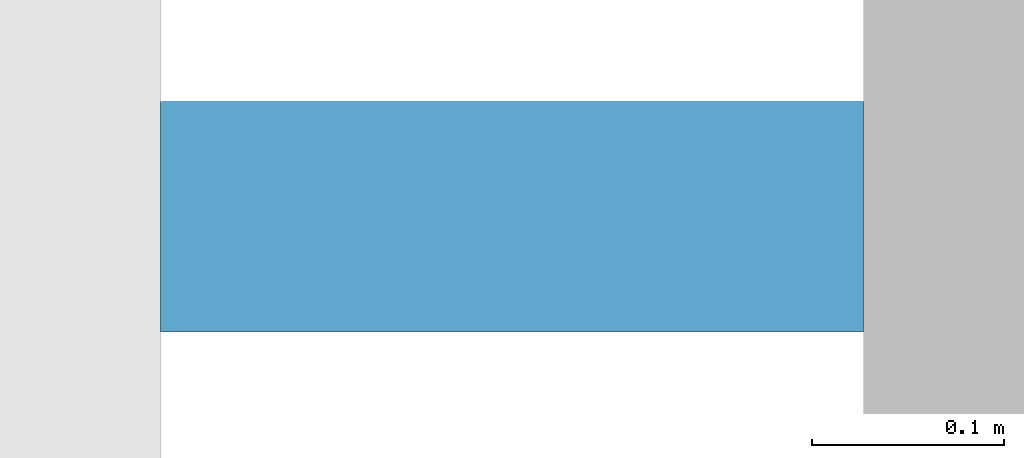
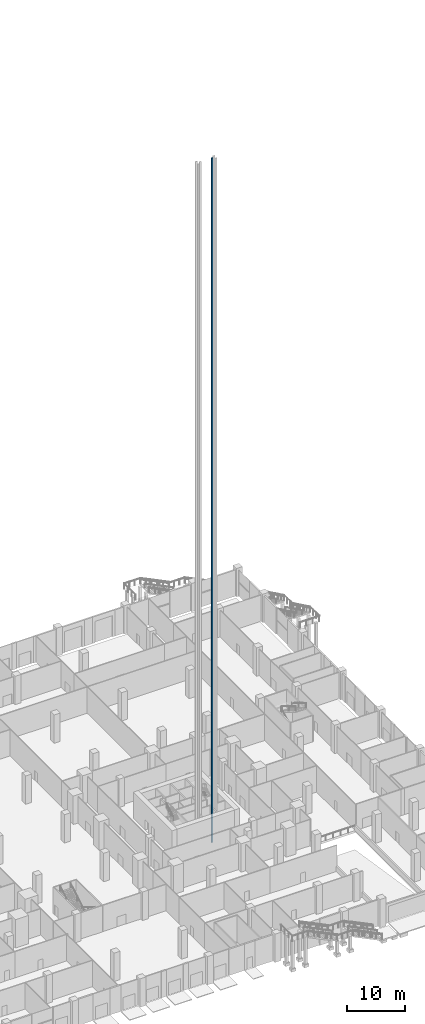
# One storey, part 56 of 68: 1 discrete accessory.
"""IFC4 building model written with IfcOpenShell, lengths in metres."""

from ifc_helpers import new_model, si_unit, direction, frame, origin, origin_2d, place, context, subcontext, project, spatial, rectangle, extrude, element, save


model = new_model("IFC4")

# Units and contexts
model_context = context("Model", 3, precision=1e-05, world=origin(), true_north=direction((0.0, 1.0)))
body_context = subcontext(model_context, "Body", "Model", "MODEL_VIEW")
ifc_project = project(units=[si_unit("LENGTHUNIT", "METRE"), si_unit("AREAUNIT", "SQUARE_METRE"), si_unit("VOLUMEUNIT", "CUBIC_METRE"), si_unit("PLANEANGLEUNIT", "RADIAN"), si_unit("MASSUNIT", "GRAM", prefix="KILO")], contexts=[model_context])

# Site, building, storey
site_placement = place(None, origin())
site = spatial("IfcSite", under=ifc_project, at=site_placement, CompositionType="ELEMENT")
building_placement = place(site_placement, origin())
building = spatial("IfcBuilding", under=site, at=building_placement, Name="Altepetl Exchange Towers", CompositionType="ELEMENT")
storey_placement = place(building_placement, origin())
storey = spatial("IfcBuildingStorey", under=building, at=storey_placement, Name="L00 Ground concourse", CompositionType="ELEMENT", Elevation=0.0)

# Discrete accessory
discrete_accessory_placement = place(storey_placement, frame((112.783203125, 38.300048828125, -1.60009765625)))
element("IfcDiscreteAccessory", 1, at=discrete_accessory_placement, inside=storey, Name="Guide rail P2", ObjectType="GUIDE RAIL", PredefinedType="USERDEFINED", context=body_context, shape_type="SweptSolid", body=[
    extrude(rectangle(XDim=0.36669921875, YDim=0.1201171875, at=origin_2d()), origin(), (0.0, 0.0, 1.0), 144.85009765625),
])

save(model, "model.ifc")
